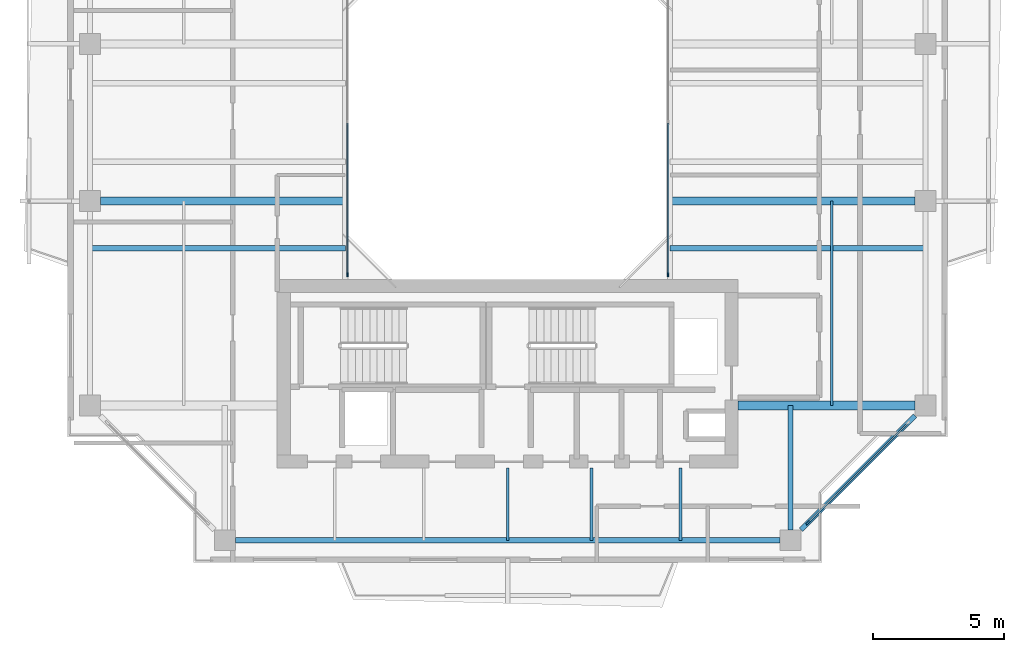
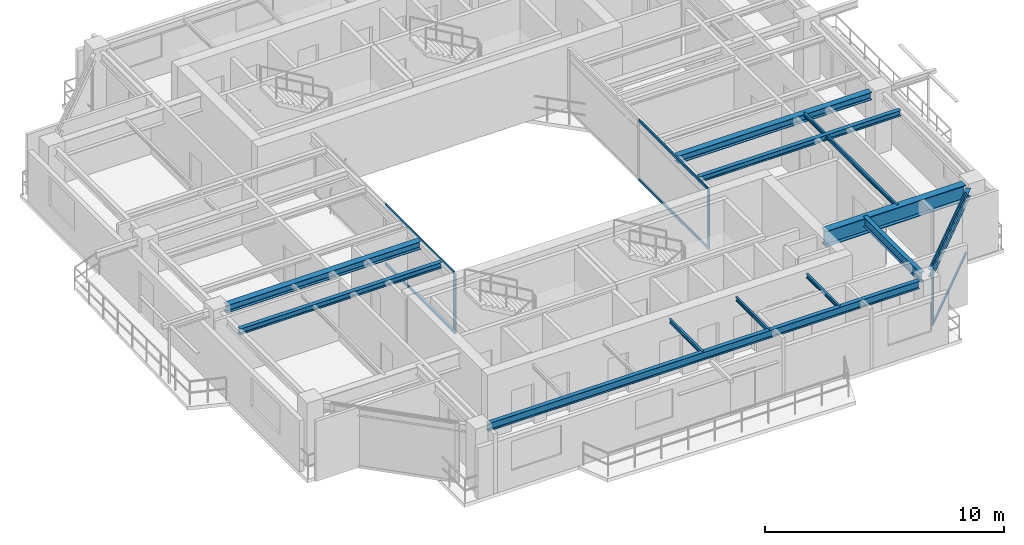
# One storey, part 4 of 16: 12 beams, 9 members, 3 elements without a shape of their own.
"""IFC4 building model written with IfcOpenShell, lengths in metres."""

from ifc_helpers import new_model, si_unit, direction, frame, origin, origin_2d, place, context, subcontext, project, spatial, rectangle, i_section, extrude, source, transform, mapped, material, layer, layer_set, material_profile, profile_set, type_object, element, aggregate, save


model = new_model("IFC4")

# Units and contexts
model_context = context("Model", 3, precision=1e-05, world=origin(), true_north=direction((0.0, 1.0)))
body_context = subcontext(model_context, "Body", "Model", "MODEL_VIEW")
ifc_project = project(units=[si_unit("LENGTHUNIT", "METRE"), si_unit("AREAUNIT", "SQUARE_METRE"), si_unit("VOLUMEUNIT", "CUBIC_METRE"), si_unit("PLANEANGLEUNIT", "RADIAN"), si_unit("MASSUNIT", "GRAM", prefix="KILO"), si_unit("THERMODYNAMICTEMPERATUREUNIT", "KELVIN"), si_unit("POWERUNIT", "WATT")], contexts=[model_context])

# Site, building, storey
site_placement = place(None, origin())
site = spatial("IfcSite", under=ifc_project, at=site_placement, CompositionType="ELEMENT")
building_placement = place(site_placement, origin())
building = spatial("IfcBuilding", under=site, at=building_placement, Name="Qiaomeng Ring Towers", CompositionType="ELEMENT")
storey_placement = place(building_placement, frame((0.0, 0.0, 223.0)))
storey = spatial("IfcBuildingStorey", under=building, at=storey_placement, Name="L65", CompositionType="ELEMENT", Elevation=223.0)

# Beams
ifc_material_1 = material(Name="Steel Q355B", Category="steel")
ifc_material_profile_1 = material_profile(ifc_material_1, i_section(OverallWidth=0.198974609375, OverallDepth=0.39599609375, WebThickness=0.007080078125, FlangeThickness=0.010986328125, FilletRadius=0.01611328125, at=origin_2d()), Name="HN 396x199x7x11")
ifc_profile_set_1 = profile_set([ifc_material_profile_1], Name="Steel Q355B")
beam_type_1 = type_object("IfcBeamType", Name="STR-BM-HN396", PredefinedType="SPANDREL", material=ifc_profile_set_1)
shared_shape_1 = source(origin(), body_context, "Body", "SweptSolid", [
    extrude(i_section(OverallWidth=0.198974609375, OverallDepth=0.39599609375, WebThickness=0.007080078125, FlangeThickness=0.010986328125, FilletRadius=0.01611328125, at=origin_2d()), origin(), (0.0, 0.0, 1.0), 20.8017578125),
])
beam_1_placement = place(storey_placement, frame((8.59912109375, 7.050048828125, 2.8720703125), z_axis=(1.0, 0.0, 0.0), x_axis=(0.0, 1.0, 0.0)))
element("IfcBeam", 1, at=beam_1_placement, inside=storey, type_object=beam_type_1, Name="L65 beam STR-SP-L65-T1-S1-S2", PredefinedType="SPANDREL", context=body_context, shape_type="MappedRepresentation", body=[
    mapped(shared_shape_1, transform((0.0, 0.0, 0.0), x_axis=(1.0, 0.0, 0.0), y_axis=(0.0, 1.0, 0.0), z_axis=(0.0, 0.0, 1.0), scale=1.0)),
])
shared_shape_2 = source(origin(), body_context, "Body", "SweptSolid", [
    extrude(i_section(OverallWidth=0.198974609375, OverallDepth=0.39599609375, WebThickness=0.007080078125, FlangeThickness=0.010986328125, FilletRadius=0.01611328125, at=origin_2d()), origin(), (0.0, 0.0, 1.0), 6.154052734375),
])
beam_2_placement = place(storey_placement, frame((30.19921875, 7.44921875, 2.8720703125), z_axis=(0.707106781187, 0.707106781187, 0.0), x_axis=(-0.707106781187, 0.707106781187, 0.0)))
element("IfcBeam", 2, at=beam_2_placement, inside=storey, type_object=beam_type_1, Name="L65 beam STR-SP-L65-T1-S2-E1", PredefinedType="SPANDREL", context=body_context, shape_type="MappedRepresentation", body=[
    mapped(shared_shape_2, transform((0.0, 0.0, 0.0), x_axis=(1.0, 0.0, 0.0), y_axis=(0.0, 1.0, 0.0), z_axis=(0.0, 0.0, 1.0), scale=1.0)),
])
ifc_material_2 = material(Name="Steel Q390GJC", Category="steel")
ifc_material_profile_2 = material_profile(ifc_material_2, i_section(OverallWidth=0.35009765625, OverallDepth=0.800048828125, WebThickness=0.01611328125, FlangeThickness=0.028076171875, at=origin_2d()), Name="WH 800x350x16x28")
ifc_profile_set_2 = profile_set([ifc_material_profile_2], Name="Steel Q390GJC")
beam_type_2 = type_object("IfcBeamType", Name="STR-BM-WH800", PredefinedType="BEAM", material=ifc_profile_set_2)
shared_shape_3 = source(origin(), body_context, "Body", "SweptSolid", [
    extrude(i_section(OverallWidth=0.35009765625, OverallDepth=0.800048828125, WebThickness=0.01611328125, FlangeThickness=0.028076171875, at=origin_2d()), origin(), (0.0, 0.0, 1.0), 6.7509765625),
])
beam_3_placement = place(storey_placement, frame((27.800048828125, 12.199951171875, 2.669921875), z_axis=(1.0, 0.0, 0.0), x_axis=(0.0, 1.0, 0.0)))
element("IfcBeam", 3, at=beam_3_placement, inside=storey, type_object=beam_type_2, Name="L65 beam STR-BM-L65-T1-RAD-E1", PredefinedType="BEAM", context=body_context, shape_type="MappedRepresentation", body=[
    mapped(shared_shape_3, transform((0.0, 0.0, 0.0), x_axis=(1.0, 0.0, 0.0), y_axis=(0.0, 1.0, 0.0), z_axis=(0.0, 0.0, 1.0), scale=1.0)),
])
ifc_material_profile_3 = material_profile(ifc_material_1, i_section(OverallWidth=0.300048828125, OverallDepth=0.389892578125, WebThickness=0.010009765625, FlangeThickness=0.01611328125, FilletRadius=0.02197265625, at=origin_2d()), Name="HM 390x300x10x16")
ifc_profile_set_3 = profile_set([ifc_material_profile_3], Name="Steel Q355B")
beam_type_3 = type_object("IfcBeamType", Name="STR-BM-HM390", PredefinedType="BEAM", material=ifc_profile_set_3)
shared_shape_4 = source(origin(), body_context, "Body", "SweptSolid", [
    extrude(i_section(OverallWidth=0.300048828125, OverallDepth=0.389892578125, WebThickness=0.010009765625, FlangeThickness=0.01611328125, FilletRadius=0.02197265625, at=origin_2d()), origin(), (0.0, 0.0, 1.0), 9.35107421875),
])
for number, where, z_axis, x_axis, name in (
    (4, (3.448974609375, 20.0, 2.875), (1.0, 0.0, 0.0), (0.0, 1.0, 0.0), "L65 beam STR-BM-L65-T1-RAD-W2"),
    (5, (25.199951171875, 20.0, 2.875), (1.0, 0.0, 0.0), (0.0, 1.0, 0.0), "L65 beam STR-BM-L65-T1-RAD-E2"),
):
    element("IfcBeam", number, at=place(storey_placement, frame(where, z_axis=z_axis, x_axis=x_axis)), inside=storey, type_object=beam_type_3, Name=name, PredefinedType="BEAM", context=body_context, shape_type="MappedRepresentation", body=[
        mapped(shared_shape_4, transform((0.0, 0.0, 0.0), x_axis=(1.0, 0.0, 0.0), y_axis=(0.0, 1.0, 0.0), z_axis=(0.0, 0.0, 1.0), scale=1.0)),
    ])
ifc_material_profile_4 = material_profile(ifc_material_1, i_section(OverallWidth=0.10009765625, OverallDepth=0.199951171875, WebThickness=0.005615234375, FlangeThickness=0.008056640625, FilletRadius=0.010986328125, at=origin_2d()), Name="HN 200x100x5.5x8")
ifc_profile_set_4 = profile_set([ifc_material_profile_4], Name="Steel Q355B")
beam_type_4 = type_object("IfcBeamType", Name="STR-BM-HN200", PredefinedType="JOIST", material=ifc_profile_set_4)
shared_shape_5 = source(origin(), body_context, "Body", "SweptSolid", [
    extrude(i_section(OverallWidth=0.10009765625, OverallDepth=0.199951171875, WebThickness=0.005615234375, FlangeThickness=0.008056640625, FilletRadius=0.010986328125, at=origin_2d()), origin(), (0.0, 0.0, 1.0), 2.75),
])
for number, where, z_axis, x_axis, name in (
    (6, (19.0, 7.050048828125, 2.969970703125), (0.0, 1.0, 0.0), (-1.0, 0.0, 0.0), "L65 beam STR-JST-L65-T1S-3"),
    (7, (22.199951171875, 7.050048828125, 2.969970703125), (0.0, 1.0, 0.0), (-1.0, 0.0, 0.0), "L65 beam STR-JST-L65-T1S-4"),
    (8, (25.60009765625, 7.050048828125, 2.969970703125), (0.0, 1.0, 0.0), (-1.0, 0.0, 0.0), "L65 beam STR-JST-L65-T1S-5"),
):
    element("IfcBeam", number, at=place(storey_placement, frame(where, z_axis=z_axis, x_axis=x_axis)), inside=storey, type_object=beam_type_4, Name=name, PredefinedType="JOIST", context=body_context, shape_type="MappedRepresentation", body=[
        mapped(shared_shape_5, transform((0.0, 0.0, 0.0), x_axis=(1.0, 0.0, 0.0), y_axis=(0.0, 1.0, 0.0), z_axis=(0.0, 0.0, 1.0), scale=1.0)),
    ])
ifc_material_profile_5 = material_profile(ifc_material_1, i_section(OverallWidth=0.199951171875, OverallDepth=0.2939453125, WebThickness=0.008056640625, FlangeThickness=0.011962890625, FilletRadius=0.01806640625, at=origin_2d()), Name="HM 294x200x8x12")
ifc_profile_set_5 = profile_set([ifc_material_profile_5], Name="Steel Q355B")
beam_type_5 = type_object("IfcBeamType", Name="STR-BM-HM294", PredefinedType="JOIST", material=ifc_profile_set_5)
shared_shape_6 = source(origin(), body_context, "Body", "SweptSolid", [
    extrude(i_section(OverallWidth=0.199951171875, OverallDepth=0.2939453125, WebThickness=0.008056640625, FlangeThickness=0.011962890625, FilletRadius=0.01806640625, at=origin_2d()), origin(), (0.0, 0.0, 1.0), 9.75),
])
for number, where, z_axis, x_axis, name in (
    (9, (3.050048828125, 18.199951171875, 2.923095703125), (1.0, 0.0, 0.0), (0.0, 1.0, 0.0), "L65 beam STR-JST-L65-T1W-1"),
    (10, (25.199951171875, 18.199951171875, 2.923095703125), (1.0, 0.0, 0.0), (0.0, 1.0, 0.0), "L65 beam STR-JST-L65-T1E-1"),
):
    element("IfcBeam", number, at=place(storey_placement, frame(where, z_axis=z_axis, x_axis=x_axis)), inside=storey, type_object=beam_type_5, Name=name, PredefinedType="JOIST", context=body_context, shape_type="MappedRepresentation", body=[
        mapped(shared_shape_6, transform((0.0, 0.0, 0.0), x_axis=(1.0, 0.0, 0.0), y_axis=(0.0, 1.0, 0.0), z_axis=(0.0, 0.0, 1.0), scale=1.0)),
    ])
shared_shape_7 = source(origin(), body_context, "Body", "SweptSolid", [
    extrude(i_section(OverallWidth=0.10009765625, OverallDepth=0.199951171875, WebThickness=0.005615234375, FlangeThickness=0.008056640625, FilletRadius=0.010986328125, at=origin_2d()), origin(), (0.0, 0.0, 1.0), 7.800048828125),
])
beam_4_placement = place(storey_placement, frame((31.375, 12.199951171875, 2.969970703125), z_axis=(0.0, 1.0, 0.0), x_axis=(-1.0, 0.0, 0.0)))
element("IfcBeam", 11, at=beam_4_placement, inside=storey, type_object=beam_type_4, Name="L65 beam STR-JST-L65-T1C-ES", PredefinedType="JOIST", context=body_context, shape_type="MappedRepresentation", body=[
    mapped(shared_shape_7, transform((0.0, 0.0, 0.0), x_axis=(1.0, 0.0, 0.0), y_axis=(0.0, 1.0, 0.0), z_axis=(0.0, 0.0, 1.0), scale=1.0)),
])
ifc_material_profile_6 = material_profile(ifc_material_1, i_section(OverallWidth=0.198974609375, OverallDepth=0.49609375, WebThickness=0.009033203125, FlangeThickness=0.013916015625, FilletRadius=0.01806640625, at=origin_2d()), Name="HN 496x199x9x14")
ifc_profile_set_6 = profile_set([ifc_material_profile_6], Name="Steel Q355B")
beam_type_6 = type_object("IfcBeamType", Name="STR-BM-HN496", PredefinedType="BEAM", material=ifc_profile_set_6)
shared_shape_8 = source(origin(), body_context, "Body", "SweptSolid", [
    extrude(i_section(OverallWidth=0.198974609375, OverallDepth=0.49609375, WebThickness=0.009033203125, FlangeThickness=0.013916015625, FilletRadius=0.01806640625, at=origin_2d()), origin(), (0.0, 0.0, 1.0), 4.7509765625),
])
beam_5_placement = place(storey_placement, frame((29.800048828125, 7.448974609375, 2.822021484375), z_axis=(0.0, 1.0, 0.0), x_axis=(-1.0, 0.0, 0.0)))
element("IfcBeam", 12, at=beam_5_placement, inside=storey, type_object=beam_type_6, Name="L65 beam STR-BM-L65-T1-RAD-S2", PredefinedType="BEAM", context=body_context, shape_type="MappedRepresentation", body=[
    mapped(shared_shape_8, transform((0.0, 0.0, 0.0), x_axis=(1.0, 0.0, 0.0), y_axis=(0.0, 1.0, 0.0), z_axis=(0.0, 0.0, 1.0), scale=1.0)),
])

# Curtain wall, member
ifc_material_3 = material(Name="Fluorocarbon dark-grey aluminium", Category="aluminium")
ifc_layer_1 = layer(ifc_material_3, 0.139892578125, Name="Fluorocarbon dark-grey aluminium")
ifc_layer_set_1 = layer_set([ifc_layer_1], Name="Fluorocarbon dark-grey aluminium")
curtain_wall_type_1 = type_object("IfcCurtainWallType", Name="ARC-CW-4", PredefinedType="NOTDEFINED", material=ifc_layer_set_1)
curtain_wall_1_placement = place(storey_placement, origin())
curtain_wall_1 = element("IfcCurtainWall", 13, at=curtain_wall_1_placement, inside=storey, type_object=curtain_wall_type_1, Name="L65 Curtain Wall CW4", PredefinedType="NOTDEFINED")
ifc_material_profile_7 = material_profile(ifc_material_3, rectangle(XDim=0.06494140625, YDim=0.159912109375, at=origin_2d()), Name="ALU MULL 65x160")
ifc_profile_set_7 = profile_set([ifc_material_profile_7], Name="Fluorocarbon dark-grey aluminium")
member_type_1 = type_object("IfcMemberType", Name="ARC-CWM-140", PredefinedType="MULLION", material=ifc_profile_set_7)
shared_shape_9 = source(origin(), body_context, "Body", "SweptSolid", [
    extrude(rectangle(XDim=0.06494140625, YDim=0.159912109375, at=origin_2d()), origin(), (0.0, 0.0, 1.0), 3.070068359375),
])
member_1_placement = place(storey_placement, frame((12.8798828125, 17.1826171875, 0.0), z_axis=(0.0, 0.0, 1.0), x_axis=(-1.0, 0.0, 0.0)))
member_1 = element("IfcMember", 14, at=member_1_placement, type_object=member_type_1, Name="CW4 mullion 1", PredefinedType="MULLION", context=body_context, shape_type="MappedRepresentation", body=[
    mapped(shared_shape_9, transform((0.0, 0.0, 0.0), x_axis=(1.0, 0.0, 0.0), y_axis=(0.0, 1.0, 0.0), z_axis=(0.0, 0.0, 1.0), scale=1.0)),
])

curtain_wall_2_placement = place(storey_placement, origin())
curtain_wall_2 = element("IfcCurtainWall", 15, at=curtain_wall_2_placement, inside=storey, type_object=curtain_wall_type_1, Name="L65 Curtain Wall CW4", PredefinedType="NOTDEFINED")
member_2_placement = place(storey_placement, frame((25.1201171875, 17.1826171875, 0.0), z_axis=(0.0, 0.0, 1.0), x_axis=(-1.0, 0.0, 0.0)))
member_2 = element("IfcMember", 16, at=member_2_placement, type_object=member_type_1, Name="CW4 mullion 1", PredefinedType="MULLION", context=body_context, shape_type="MappedRepresentation", body=[
    mapped(shared_shape_9, transform((0.0, 0.0, 0.0), x_axis=(1.0, 0.0, 0.0), y_axis=(0.0, 1.0, 0.0), z_axis=(0.0, 0.0, 1.0), scale=1.0)),
])

# Member
ifc_material_profile_8 = material_profile(ifc_material_3, rectangle(XDim=0.06494140625, YDim=0.1298828125, at=origin_2d()), Name="ALU TRAN 65x130")
ifc_profile_set_8 = profile_set([ifc_material_profile_8], Name="Fluorocarbon dark-grey aluminium")
member_type_2 = type_object("IfcMemberType", Name="ARC-CWT-120", PredefinedType="USERDEFINED", material=ifc_profile_set_8)
shared_shape_10 = source(origin(), body_context, "Body", "SweptSolid", [
    extrude(rectangle(XDim=0.06494140625, YDim=0.1298828125, at=origin_2d()), origin(), (0.0, 0.0, 1.0), 5.75244140625),
])
member_3_placement = place(storey_placement, frame((12.8798828125, 17.215087890625, 0.032470703125), z_axis=(0.0, 1.0, 0.0), x_axis=(-1.0, 0.0, 0.0)))
member_3 = element("IfcMember", 17, at=member_3_placement, type_object=member_type_2, Name="CW4 transom 1.1", ObjectType="TRANSOM", PredefinedType="USERDEFINED", context=body_context, shape_type="MappedRepresentation", body=[
    mapped(shared_shape_10, transform((0.0, 0.0, 0.0), x_axis=(1.0, 0.0, 0.0), y_axis=(0.0, 1.0, 0.0), z_axis=(0.0, 0.0, 1.0), scale=1.0)),
])

member_4_placement = place(storey_placement, frame((12.8798828125, 17.215087890625, 3.03759765625), z_axis=(0.0, 1.0, 0.0), x_axis=(-1.0, 0.0, 0.0)))
member_4 = element("IfcMember", 18, at=member_4_placement, type_object=member_type_2, Name="CW4 transom 1.2", ObjectType="TRANSOM", PredefinedType="USERDEFINED", context=body_context, shape_type="MappedRepresentation", body=[
    mapped(shared_shape_10, transform((0.0, 0.0, 0.0), x_axis=(1.0, 0.0, 0.0), y_axis=(0.0, 1.0, 0.0), z_axis=(0.0, 0.0, 1.0), scale=1.0)),
])

aggregate(curtain_wall_1, [member_1, member_3, member_4])

member_5_placement = place(storey_placement, frame((25.1201171875, 17.215087890625, 0.032470703125), z_axis=(0.0, 1.0, 0.0), x_axis=(-1.0, 0.0, 0.0)))
member_5 = element("IfcMember", 19, at=member_5_placement, type_object=member_type_2, Name="CW4 transom 1.1", ObjectType="TRANSOM", PredefinedType="USERDEFINED", context=body_context, shape_type="MappedRepresentation", body=[
    mapped(shared_shape_10, transform((0.0, 0.0, 0.0), x_axis=(1.0, 0.0, 0.0), y_axis=(0.0, 1.0, 0.0), z_axis=(0.0, 0.0, 1.0), scale=1.0)),
])

member_6_placement = place(storey_placement, frame((25.1201171875, 17.215087890625, 3.03759765625), z_axis=(0.0, 1.0, 0.0), x_axis=(-1.0, 0.0, 0.0)))
member_6 = element("IfcMember", 20, at=member_6_placement, type_object=member_type_2, Name="CW4 transom 1.2", ObjectType="TRANSOM", PredefinedType="USERDEFINED", context=body_context, shape_type="MappedRepresentation", body=[
    mapped(shared_shape_10, transform((0.0, 0.0, 0.0), x_axis=(1.0, 0.0, 0.0), y_axis=(0.0, 1.0, 0.0), z_axis=(0.0, 0.0, 1.0), scale=1.0)),
])

aggregate(curtain_wall_2, [member_2, member_5, member_6])

# Curtain wall, members
ifc_layer_2 = layer(ifc_material_3, 0.14990234375, Name="Fluorocarbon dark-grey aluminium")
ifc_layer_set_2 = layer_set([ifc_layer_2], Name="Fluorocarbon dark-grey aluminium")
curtain_wall_type_2 = type_object("IfcCurtainWallType", Name="ARC-CW-3", PredefinedType="NOTDEFINED", material=ifc_layer_set_2)
curtain_wall_3_placement = place(storey_placement, origin())
curtain_wall_3 = element("IfcCurtainWall", 21, at=curtain_wall_3_placement, inside=storey, type_object=curtain_wall_type_2, Name="L65 Curtain Wall CW3", PredefinedType="NOTDEFINED")
ifc_material_profile_9 = material_profile(ifc_material_3, rectangle(XDim=0.070068359375, YDim=0.179931640625, at=origin_2d()), Name="ALU MULL 70x180")
ifc_profile_set_9 = profile_set([ifc_material_profile_9], Name="Fluorocarbon dark-grey aluminium")
member_type_3 = type_object("IfcMemberType", Name="ARC-CWM-160", PredefinedType="MULLION", material=ifc_profile_set_9)
shared_shape_11 = source(origin(), body_context, "Body", "SweptSolid", [
    extrude(rectangle(XDim=0.070068359375, YDim=0.179931640625, at=origin_2d()), origin(), (0.0, 0.0, 1.0), 3.070068359375),
])
member_7_placement = place(storey_placement, frame((30.46484375, 7.71484375, 0.0), z_axis=(0.0, 0.0, 1.0), x_axis=(-0.707106781187, 0.707106781187, 0.0)))
member_7 = element("IfcMember", 22, at=member_7_placement, type_object=member_type_3, Name="CW3 mullion 1", PredefinedType="MULLION", context=body_context, shape_type="MappedRepresentation", body=[
    mapped(shared_shape_11, transform((0.0, 0.0, 0.0), x_axis=(1.0, 0.0, 0.0), y_axis=(0.0, 1.0, 0.0), z_axis=(0.0, 0.0, 1.0), scale=1.0)),
])
shared_shape_12 = source(origin(), body_context, "Body", "SweptSolid", [
    extrude(rectangle(XDim=0.06494140625, YDim=0.1298828125, at=origin_2d()), origin(), (0.0, 0.0, 1.0), 5.3330078125),
])
member_8_placement = place(storey_placement, frame((30.489501953125, 7.739501953125, 0.032470703125), z_axis=(0.707106781187, 0.707106781187, 0.0), x_axis=(-0.707106781187, 0.707106781187, 0.0)))
member_8 = element("IfcMember", 23, at=member_8_placement, type_object=member_type_2, Name="CW3 transom 1.1", ObjectType="TRANSOM", PredefinedType="USERDEFINED", context=body_context, shape_type="MappedRepresentation", body=[
    mapped(shared_shape_12, transform((0.0, 0.0, 0.0), x_axis=(1.0, 0.0, 0.0), y_axis=(0.0, 1.0, 0.0), z_axis=(0.0, 0.0, 1.0), scale=1.0)),
])
member_9_placement = place(storey_placement, frame((30.489501953125, 7.739501953125, 3.03759765625), z_axis=(0.707106781187, 0.707106781187, 0.0), x_axis=(-0.707106781187, 0.707106781187, 0.0)))
member_9 = element("IfcMember", 24, at=member_9_placement, type_object=member_type_2, Name="CW3 transom 1.2", ObjectType="TRANSOM", PredefinedType="USERDEFINED", context=body_context, shape_type="MappedRepresentation", body=[
    mapped(shared_shape_12, transform((0.0, 0.0, 0.0), x_axis=(1.0, 0.0, 0.0), y_axis=(0.0, 1.0, 0.0), z_axis=(0.0, 0.0, 1.0), scale=1.0)),
])
aggregate(curtain_wall_3, [member_7, member_8, member_9])

save(model, "model.ifc")
